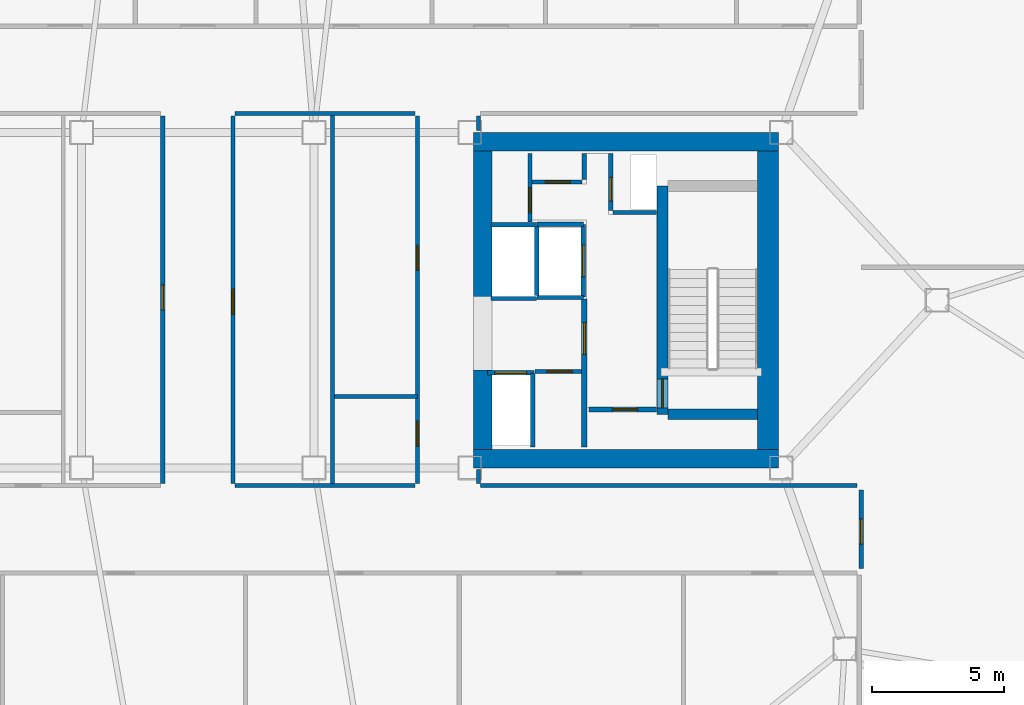
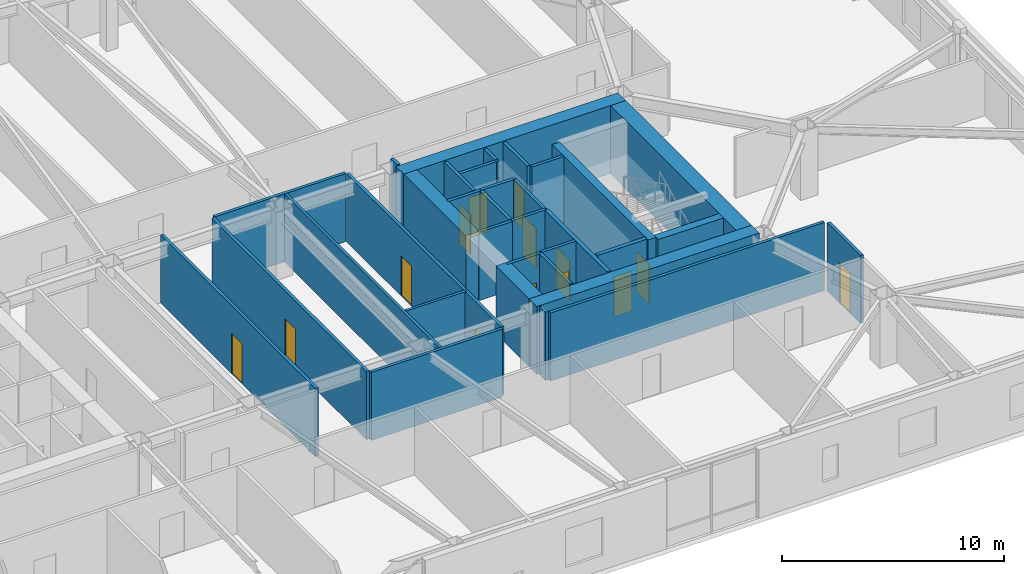
# One storey, part 12 of 18: 34 walls, 14 doors, 14 openings.
"""IFC4 building model written with IfcOpenShell, lengths in metres."""

from ifc_helpers import new_model, si_unit, direction, frame, frame_2d, origin, place, context, subcontext, project, spatial, rectangle, extrude, material, layer, layer_set, type_object, element, fill, save


model = new_model("IFC4")

# Units and contexts
model_context = context("Model", 3, precision=1e-05, world=origin(), true_north=direction((0.0, 1.0)))
body_context = subcontext(model_context, "Body", "Model", "MODEL_VIEW")
ifc_project = project(units=[si_unit("LENGTHUNIT", "METRE"), si_unit("AREAUNIT", "SQUARE_METRE"), si_unit("VOLUMEUNIT", "CUBIC_METRE"), si_unit("PLANEANGLEUNIT", "RADIAN"), si_unit("MASSUNIT", "GRAM", prefix="KILO")], contexts=[model_context])

# Site, building, storey
site_placement = place(None, origin())
site = spatial("IfcSite", under=ifc_project, at=site_placement, CompositionType="ELEMENT")
building_placement = place(site_placement, origin())
building = spatial("IfcBuilding", under=site, at=building_placement, Name="Tavrogorsk Clinical Tower", CompositionType="ELEMENT")
storey_placement = place(building_placement, frame((0.0, 0.0, 168.199951171875)))
storey = spatial("IfcBuildingStorey", under=building, at=storey_placement, Name="L38", CompositionType="ELEMENT", Elevation=168.199951171875)

# Wall, opening, door
ifc_material_1 = material(Name="Concrete B60", Category="concrete")
ifc_layer_1 = layer(ifc_material_1, 0.199951171875)
ifc_layer_set_1 = layer_set([ifc_layer_1], Name="Concrete B60")
wall_type_1 = type_object("IfcWallType", Name="CoreFireWall_200", PredefinedType="SOLIDWALL", material=ifc_layer_set_1)
wall_1_placement = place(storey_placement, frame((14.824951171875, -4.139892578125, 0.0), z_axis=(0.0, 0.0, 1.0), x_axis=(1.0, 0.0, 0.0)))
wall_1 = element("IfcWall", 1, at=wall_1_placement, inside=storey, type_object=wall_type_1, Name="L38 Core East South Core Room Fire Wall", PredefinedType="SOLIDWALL", context=body_context, shape_type="SweptSolid", body=[
    extrude(rectangle(XDim=2.554931640625, YDim=0.199951171875, at=frame_2d((1.27734375, 0.0))), origin(), (0.0, 0.0, 1.0), 3.739990234375),
])
opening_1_placement = place(wall_1_placement, frame((0.8798828125, 0.0, 0.0)))
opening_1 = element("IfcOpeningElement", 2, at=opening_1_placement, cuts=wall_1, Name="Opening ID-02", PredefinedType="OPENING", context=body_context, shape_type="SweptSolid", body=[
    extrude(rectangle(XDim=0.949951171875, YDim=2.199951171875, at=frame_2d((0.47509765625, 1.10009765625))), frame((0.0, 0.10986328125, 0.0), z_axis=(0.0, -1.0, 0.0), x_axis=(1.0, 0.0, 0.0)), (0.0, 0.0, 1.0), 0.219970703125),
])
ifc_material_2 = material(Name="Laminated timber leaf on aluminium frame", Category="wood")
door_type_1 = type_object("IfcDoorType", Name="InteriorDoor_ID02_950", OperationType="NOTDEFINED", PredefinedType="DOOR", material=ifc_material_2)
door_1_placement = place(opening_1_placement, origin())
door_1 = element("IfcDoor", 3, at=door_1_placement, inside=storey, type_object=door_type_1, Name="L38 Core East South Core Room Door", OperationType="SINGLE_SWING_RIGHT", OverallHeight=2.199951171875, OverallWidth=0.949951171875, PredefinedType="DOOR", context=body_context, shape_type="SweptSolid", body=[
    extrude(rectangle(XDim=0.949951171875, YDim=2.199951171875, at=frame_2d((0.47509765625, 1.10009765625))), frame((0.0, 0.02490234375, 0.0), z_axis=(0.0, -1.0, 0.0), x_axis=(1.0, 0.0, 0.0)), (0.0, 0.0, 1.0), 0.050048828125),
])
fill(opening_1, door_1)

wall_2_placement = place(storey_placement, frame((14.639892578125, -5.56005859375, 0.0), z_axis=(0.0, 0.0, 1.0), x_axis=(0.0, 1.0, 0.0)))
wall_2 = element("IfcWall", 4, at=wall_2_placement, inside=storey, type_object=wall_type_1, Name="L38 Core East Firefighting Lobby Fire Wall", PredefinedType="SOLIDWALL", context=body_context, shape_type="SweptSolid", body=[
    extrude(rectangle(XDim=5.60009765625, YDim=0.199951171875, at=frame_2d((2.800048828125, 0.0))), origin(), (0.0, 0.0, 1.0), 3.739990234375),
])
opening_2_placement = place(wall_2_placement, frame((3.510009765625, 0.0, 0.0)))
opening_2 = element("IfcOpeningElement", 5, at=opening_2_placement, cuts=wall_2, Name="Opening FD-01", PredefinedType="OPENING", context=body_context, shape_type="SweptSolid", body=[
    extrude(rectangle(XDim=1.199951171875, YDim=2.199951171875, at=frame_2d((0.60009765625, 1.10009765625))), frame((0.0, 0.10986328125, 0.0), z_axis=(0.0, -1.0, 0.0), x_axis=(1.0, 0.0, 0.0)), (0.0, 0.0, 1.0), 0.219970703125),
])
ifc_material_3 = material(Name="Galvanised steel fire-rated door assembly", Category="steel")
door_type_2 = type_object("IfcDoorType", Name="FireDoor_FD01_1200", OperationType="NOTDEFINED", PredefinedType="DOOR", material=ifc_material_3)
door_2_placement = place(opening_2_placement, origin())
door_2 = element("IfcDoor", 6, at=door_2_placement, inside=storey, type_object=door_type_2, Name="L38 Core East Firefighting Lobby Entry Door", OperationType="SINGLE_SWING_RIGHT", OverallHeight=2.199951171875, OverallWidth=1.199951171875, PredefinedType="DOOR", context=body_context, shape_type="SweptSolid", body=[
    extrude(rectangle(XDim=1.199951171875, YDim=2.199951171875, at=frame_2d((0.60009765625, 1.10009765625))), frame((0.0, 0.02490234375, 0.0), z_axis=(0.0, -1.0, 0.0), x_axis=(1.0, 0.0, 0.0)), (0.0, 0.0, 1.0), 0.050048828125),
])
fill(opening_2, door_2)

# Walls
ifc_material_4 = material(Name="Lightweight concrete blockwork B15", Category="masonry")
ifc_layer_2 = layer(ifc_material_4, 0.139892578125)
ifc_layer_set_2 = layer_set([ifc_layer_2], Name="Lightweight concrete blockwork B15")
wall_type_2 = type_object("IfcWallType", Name="PartitionWall_140", PredefinedType="PARTITIONING", material=ifc_layer_set_2)
wall_3_placement = place(storey_placement, frame((5.10009765625, -7.014892578125, 0.0), z_axis=(0.0, 0.0, 1.0), x_axis=(0.0, 1.0, 0.0)))
element("IfcWall", 7, at=wall_3_placement, inside=storey, type_object=wall_type_2, Name="L38 Central Spine Partition 2", PredefinedType="PARTITIONING", context=body_context, shape_type="SweptSolid", body=[
    extrude(rectangle(XDim=14.079833984375, YDim=0.139892578125, at=frame_2d((7.0400390625, 0.0))), origin(), (0.0, 0.0, 1.0), 3.739990234375),
])
wall_4_placement = place(storey_placement, frame((5.175048828125, -3.64990234375, 0.0), z_axis=(0.0, 0.0, 1.0), x_axis=(1.0, 0.0, 0.0)))
element("IfcWall", 8, at=wall_4_placement, inside=storey, type_object=wall_type_2, Name="L38 Central Spine Partition 4", PredefinedType="PARTITIONING", context=body_context, shape_type="SweptSolid", body=[
    extrude(rectangle(XDim=3.139892578125, YDim=0.139892578125, at=frame_2d((1.56982421875, 0.0))), origin(), (0.0, 0.0, 1.0), 3.739990234375),
])

# Wall, opening, door
ifc_material_5 = material(Name="Lightweight concrete blockwork B15", Category="masonry")
ifc_layer_3 = layer(ifc_material_5, 0.159912109375)
ifc_layer_set_3 = layer_set([ifc_layer_3], Name="Lightweight concrete blockwork B15")
wall_type_3 = type_object("IfcWallType", Name="PartitionWall_160", PredefinedType="PARTITIONING", material=ifc_layer_set_3)
wall_5_placement = place(storey_placement, frame((12.77490234375, -2.699951171875, 0.0), z_axis=(0.0, 0.0, 1.0), x_axis=(1.0, 0.0, 0.0)))
wall_5 = element("IfcWall", 9, at=wall_5_placement, inside=storey, type_object=wall_type_3, Name="L38 Core East Freed Low-Bank North Partition", PredefinedType="PARTITIONING", context=body_context, shape_type="SweptSolid", body=[
    extrude(rectangle(XDim=1.760009765625, YDim=0.159912109375, at=frame_2d((0.8798828125, 0.0))), origin(), (0.0, 0.0, 1.0), 3.739990234375),
])
opening_3_placement = place(wall_5_placement, frame((0.449951171875, 0.0, 0.0)))
opening_3 = element("IfcOpeningElement", 10, at=opening_3_placement, cuts=wall_5, Name="Opening ID-02", PredefinedType="OPENING", context=body_context, shape_type="SweptSolid", body=[
    extrude(rectangle(XDim=0.949951171875, YDim=2.199951171875, at=frame_2d((0.47509765625, 1.10009765625))), frame((0.0, 0.08984375, 0.0), z_axis=(0.0, -1.0, 0.0), x_axis=(1.0, 0.0, 0.0)), (0.0, 0.0, 1.0), 0.179931640625),
])
door_3_placement = place(opening_3_placement, origin())
door_3 = element("IfcDoor", 11, at=door_3_placement, inside=storey, type_object=door_type_1, Name="L38 Core East Biomedical Alcove Door", OperationType="SINGLE_SWING_LEFT", OverallHeight=2.199951171875, OverallWidth=0.949951171875, PredefinedType="DOOR", context=body_context, shape_type="SweptSolid", body=[
    extrude(rectangle(XDim=0.949951171875, YDim=2.199951171875, at=frame_2d((0.47509765625, 1.10009765625))), frame((0.0, 0.02490234375, 0.0), z_axis=(0.0, -1.0, 0.0), x_axis=(1.0, 0.0, 0.0)), (0.0, 0.0, 1.0), 0.050048828125),
])
fill(opening_3, door_3)

wall_6_placement = place(storey_placement, frame((12.580078125, 2.9599609375, 0.0), z_axis=(0.0, 0.0, 1.0), x_axis=(0.0, 1.0, 0.0)))
wall_6 = element("IfcWall", 12, at=wall_6_placement, inside=storey, type_object=wall_type_3, Name="L38 Core East Linen Closet Wall", PredefinedType="PARTITIONING", context=body_context, shape_type="SweptSolid", body=[
    extrude(rectangle(XDim=2.60009765625, YDim=0.159912109375, at=frame_2d((1.300048828125, 0.0))), origin(), (0.0, 0.0, 1.0), 3.739990234375),
])
opening_4_placement = place(wall_6_placement, frame((0.35009765625, 0.0, 0.0)))
opening_4 = element("IfcOpeningElement", 13, at=opening_4_placement, cuts=wall_6, Name="Opening ID-02", PredefinedType="OPENING", context=body_context, shape_type="SweptSolid", body=[
    extrude(rectangle(XDim=0.949951171875, YDim=2.199951171875, at=frame_2d((0.47509765625, 1.10009765625))), frame((0.0, 0.08984375, 0.0), z_axis=(0.0, -1.0, 0.0), x_axis=(1.0, 0.0, 0.0)), (0.0, 0.0, 1.0), 0.179931640625),
])
door_4_placement = place(opening_4_placement, origin())
door_4 = element("IfcDoor", 14, at=door_4_placement, inside=storey, type_object=door_type_1, Name="L38 Core East Linen Closet Door", OperationType="SINGLE_SWING_RIGHT", OverallHeight=2.199951171875, OverallWidth=0.949951171875, PredefinedType="DOOR", context=body_context, shape_type="SweptSolid", body=[
    extrude(rectangle(XDim=0.949951171875, YDim=2.199951171875, at=frame_2d((0.47509765625, 1.10009765625))), frame((0.0, 0.02490234375, 0.0), z_axis=(0.0, -1.0, 0.0), x_axis=(1.0, 0.0, 0.0)), (0.0, 0.0, 1.0), 0.050048828125),
])
fill(opening_4, door_4)

wall_7_placement = place(storey_placement, frame((12.6650390625, 4.47998046875, 0.0), z_axis=(0.0, 0.0, 1.0), x_axis=(1.0, 0.0, 0.0)))
wall_7 = element("IfcWall", 15, at=wall_7_placement, inside=storey, type_object=wall_type_3, Name="L38 Core East Housekeeping South Wall", PredefinedType="PARTITIONING", context=body_context, shape_type="SweptSolid", body=[
    extrude(rectangle(XDim=1.889892578125, YDim=0.159912109375, at=frame_2d((0.94482421875, 0.0))), origin(), (0.0, 0.0, 1.0), 3.739990234375),
])
opening_5_placement = place(wall_7_placement, frame((0.5, 0.0, 0.0)))
opening_5 = element("IfcOpeningElement", 16, at=opening_5_placement, cuts=wall_7, Name="Opening ID-02", PredefinedType="OPENING", context=body_context, shape_type="SweptSolid", body=[
    extrude(rectangle(XDim=0.949951171875, YDim=2.199951171875, at=frame_2d((0.47509765625, 1.10009765625))), frame((0.0, 0.08984375, 0.0), z_axis=(0.0, -1.0, 0.0), x_axis=(1.0, 0.0, 0.0)), (0.0, 0.0, 1.0), 0.179931640625),
])
door_5_placement = place(opening_5_placement, origin())
door_5 = element("IfcDoor", 17, at=door_5_placement, inside=storey, type_object=door_type_1, Name="L38 Core East Housekeeping Closet Door", OperationType="SINGLE_SWING_LEFT", OverallHeight=2.199951171875, OverallWidth=0.949951171875, PredefinedType="DOOR", context=body_context, shape_type="SweptSolid", body=[
    extrude(rectangle(XDim=0.949951171875, YDim=2.199951171875, at=frame_2d((0.47509765625, 1.10009765625))), frame((0.0, 0.02490234375, 0.0), z_axis=(0.0, -1.0, 0.0), x_axis=(1.0, 0.0, 0.0)), (0.0, 0.0, 1.0), 0.050048828125),
])
fill(opening_5, door_5)

# Walls
wall_8_placement = place(storey_placement, frame((14.639892578125, 4.56494140625, 0.0), z_axis=(0.0, 0.0, 1.0), x_axis=(0.0, 1.0, 0.0)))
element("IfcWall", 18, at=wall_8_placement, inside=storey, type_object=wall_type_3, Name="L38 Core East Housekeeping East Wall", PredefinedType="PARTITIONING", context=body_context, shape_type="SweptSolid", body=[
    extrude(rectangle(XDim=0.9951171875, YDim=0.159912109375, at=frame_2d((0.49755859375, 0.0))), origin(), (0.0, 0.0, 1.0), 3.739990234375),
])
wall_9_placement = place(storey_placement, frame((10.6298828125, 6.985107421875, 0.0), z_axis=(0.0, 0.0, 1.0), x_axis=(0.0, -1.0, 0.0)))
element("IfcWall", 19, at=wall_9_placement, inside=storey, type_object=wall_type_3, Name="L38 Corridor Partition 10", PredefinedType="PARTITIONING", context=body_context, shape_type="SweptSolid", body=[
    extrude(rectangle(XDim=0.565185546875, YDim=0.159912109375, at=frame_2d((0.28271484375, 0.0))), origin(), (0.0, 0.0, 1.0), 3.739990234375),
])
wall_10_placement = place(storey_placement, frame((10.6298828125, -6.419921875, 0.0), z_axis=(0.0, 0.0, 1.0), x_axis=(0.0, -1.0, 0.0)))
element("IfcWall", 20, at=wall_10_placement, inside=storey, type_object=wall_type_3, Name="L38 Corridor Partition 11", PredefinedType="PARTITIONING", context=body_context, shape_type="SweptSolid", body=[
    extrude(rectangle(XDim=0.51513671875, YDim=0.159912109375, at=frame_2d((0.257568359375, 0.0))), origin(), (0.0, 0.0, 1.0), 3.739990234375),
])
wall_11_placement = place(storey_placement, frame((10.715087890625, -7.02001953125, 0.0), z_axis=(0.0, 0.0, 1.0), x_axis=(1.0, 0.0, 0.0)))
element("IfcWall", 21, at=wall_11_placement, inside=storey, type_object=wall_type_3, Name="L38 Corridor Partition 12", PredefinedType="PARTITIONING", context=body_context, shape_type="SweptSolid", body=[
    extrude(rectangle(XDim=14.25, YDim=0.159912109375, at=frame_2d((7.125, 0.0))), origin(), (0.0, 0.0, 1.0), 3.739990234375),
])

# Wall, opening, door
wall_12_placement = place(storey_placement, frame((25.1298828125, -7.18505859375, 0.0), z_axis=(0.0, 0.0, 1.0), x_axis=(0.0, -1.0, 0.0)))
wall_12 = element("IfcWall", 22, at=wall_12_placement, inside=storey, type_object=wall_type_3, Name="L38 Corridor Partition 13", PredefinedType="PARTITIONING", context=body_context, shape_type="SweptSolid", body=[
    extrude(rectangle(XDim=2.97998046875, YDim=0.159912109375, at=frame_2d((1.489990234375, 0.0))), origin(), (0.0, 0.0, 1.0), 3.739990234375),
])
opening_6_placement = place(wall_12_placement, frame((1.10009765625, 0.0, 0.0)))
opening_6 = element("IfcOpeningElement", 23, at=opening_6_placement, cuts=wall_12, Name="Opening ID-02", PredefinedType="OPENING", context=body_context, shape_type="SweptSolid", body=[
    extrude(rectangle(XDim=0.949951171875, YDim=2.199951171875, at=frame_2d((0.47509765625, 1.10009765625))), frame((0.0, 0.08984375, 0.0), z_axis=(0.0, -1.0, 0.0), x_axis=(1.0, 0.0, 0.0)), (0.0, 0.0, 1.0), 0.179931640625),
])
door_6_placement = place(opening_6_placement, origin())
door_6 = element("IfcDoor", 24, at=door_6_placement, inside=storey, type_object=door_type_1, Name="L38 E Senior Clinician Suite 1 Door", OperationType="SINGLE_SWING_LEFT", OverallHeight=2.199951171875, OverallWidth=0.949951171875, PredefinedType="DOOR", context=body_context, shape_type="SweptSolid", body=[
    extrude(rectangle(XDim=0.949951171875, YDim=2.199951171875, at=frame_2d((0.47509765625, 1.10009765625))), frame((0.0, 0.02490234375, 0.0), z_axis=(0.0, -1.0, 0.0), x_axis=(1.0, 0.0, 0.0)), (0.0, 0.0, 1.0), 0.050048828125),
])
fill(opening_6, door_6)

# Wall
wall_13_placement = place(storey_placement, frame((8.235107421875, 7.070068359375, 0.0), z_axis=(0.0, 0.0, 1.0), x_axis=(-1.0, 0.0, 0.0)))
element("IfcWall", 25, at=wall_13_placement, inside=storey, type_object=wall_type_3, Name="L38 Corridor Partition 15", PredefinedType="PARTITIONING", context=body_context, shape_type="SweptSolid", body=[
    extrude(rectangle(XDim=6.820068359375, YDim=0.159912109375, at=frame_2d((3.41015625, 0.0))), origin(), (0.0, 0.0, 1.0), 3.739990234375),
])

# Wall, opening, door
wall_14_placement = place(storey_placement, frame((1.330078125, 6.985107421875, 0.0), z_axis=(0.0, 0.0, 1.0), x_axis=(0.0, -1.0, 0.0)))
wall_14 = element("IfcWall", 26, at=wall_14_placement, inside=storey, type_object=wall_type_3, Name="L38 Corridor Partition 16", PredefinedType="PARTITIONING", context=body_context, shape_type="SweptSolid", body=[
    extrude(rectangle(XDim=13.920166015625, YDim=0.159912109375, at=frame_2d((6.9599609375, 0.0))), origin(), (0.0, 0.0, 1.0), 3.739990234375),
])
opening_7_placement = place(wall_14_placement, frame((6.570068359375, 0.0, 0.0)))
opening_7 = element("IfcOpeningElement", 27, at=opening_7_placement, cuts=wall_14, Name="Opening ID-02", PredefinedType="OPENING", context=body_context, shape_type="SweptSolid", body=[
    extrude(rectangle(XDim=0.949951171875, YDim=2.199951171875, at=frame_2d((0.47509765625, 1.10009765625))), frame((0.0, 0.08984375, 0.0), z_axis=(0.0, -1.0, 0.0), x_axis=(1.0, 0.0, 0.0)), (0.0, 0.0, 1.0), 0.179931640625),
])
door_7_placement = place(opening_7_placement, origin())
door_7 = element("IfcDoor", 28, at=door_7_placement, inside=storey, type_object=door_type_1, Name="L38 Clean Medication Preparation Room Door", OperationType="SINGLE_SWING_RIGHT", OverallHeight=2.199951171875, OverallWidth=0.949951171875, PredefinedType="DOOR", context=body_context, shape_type="SweptSolid", body=[
    extrude(rectangle(XDim=0.949951171875, YDim=2.199951171875, at=frame_2d((0.47509765625, 1.10009765625))), frame((0.0, 0.02490234375, 0.0), z_axis=(0.0, -1.0, 0.0), x_axis=(1.0, 0.0, 0.0)), (0.0, 0.0, 1.0), 0.050048828125),
])
fill(opening_7, door_7)

# Wall
wall_15_placement = place(storey_placement, frame((1.4150390625, -7.02001953125, 0.0), z_axis=(0.0, 0.0, 1.0), x_axis=(1.0, 0.0, 0.0)))
element("IfcWall", 29, at=wall_15_placement, inside=storey, type_object=wall_type_3, Name="L38 Corridor Partition 17", PredefinedType="PARTITIONING", context=body_context, shape_type="SweptSolid", body=[
    extrude(rectangle(XDim=6.820068359375, YDim=0.159912109375, at=frame_2d((3.41015625, 0.0))), origin(), (0.0, 0.0, 1.0), 3.739990234375),
])

# Wall, openings, doors
wall_16_placement = place(storey_placement, frame((8.320068359375, -6.93505859375, 0.0), z_axis=(0.0, 0.0, 1.0), x_axis=(0.0, 1.0, 0.0)))
wall_16 = element("IfcWall", 30, at=wall_16_placement, inside=storey, type_object=wall_type_3, Name="L38 Corridor Partition 18", PredefinedType="PARTITIONING", context=body_context, shape_type="SweptSolid", body=[
    extrude(rectangle(XDim=13.920166015625, YDim=0.159912109375, at=frame_2d((6.9599609375, 0.0))), origin(), (0.0, 0.0, 1.0), 3.739990234375),
])
opening_8_placement = place(wall_16_placement, frame((1.404052734375, 0.0, 0.0)))
opening_8 = element("IfcOpeningElement", 31, at=opening_8_placement, cuts=wall_16, Name="Opening ID-02", PredefinedType="OPENING", context=body_context, shape_type="SweptSolid", body=[
    extrude(rectangle(XDim=0.949951171875, YDim=2.199951171875, at=frame_2d((0.47509765625, 1.10009765625))), frame((0.0, 0.08984375, 0.0), z_axis=(0.0, -1.0, 0.0), x_axis=(1.0, 0.0, 0.0)), (0.0, 0.0, 1.0), 0.179931640625),
])
opening_9_placement = place(wall_16_placement, frame((8.060791015625, 0.0, 0.0)))
opening_9 = element("IfcOpeningElement", 32, at=opening_9_placement, cuts=wall_16, Name="Opening ID-02", PredefinedType="OPENING", context=body_context, shape_type="SweptSolid", body=[
    extrude(rectangle(XDim=0.949951171875, YDim=2.199951171875, at=frame_2d((0.47509765625, 1.10009765625))), frame((0.0, 0.08984375, 0.0), z_axis=(0.0, -1.0, 0.0), x_axis=(1.0, 0.0, 0.0)), (0.0, 0.0, 1.0), 0.179931640625),
])
door_8_placement = place(opening_8_placement, origin())
door_8 = element("IfcDoor", 33, at=door_8_placement, inside=storey, type_object=door_type_1, Name="L38 Staff & Visitor Accessible WC Door", OperationType="SINGLE_SWING_LEFT", OverallHeight=2.199951171875, OverallWidth=0.949951171875, PredefinedType="DOOR", context=body_context, shape_type="SweptSolid", body=[
    extrude(rectangle(XDim=0.949951171875, YDim=2.199951171875, at=frame_2d((0.47509765625, 1.10009765625))), frame((0.0, 0.02490234375, 0.0), z_axis=(0.0, -1.0, 0.0), x_axis=(1.0, 0.0, 0.0)), (0.0, 0.0, 1.0), 0.050048828125),
])
fill(opening_8, door_8)
door_9_placement = place(opening_9_placement, origin())
door_9 = element("IfcDoor", 34, at=door_9_placement, inside=storey, type_object=door_type_1, Name="L38 Resident Clinician Study Door", OperationType="SINGLE_SWING_RIGHT", OverallHeight=2.199951171875, OverallWidth=0.949951171875, PredefinedType="DOOR", context=body_context, shape_type="SweptSolid", body=[
    extrude(rectangle(XDim=0.949951171875, YDim=2.199951171875, at=frame_2d((0.47509765625, 1.10009765625))), frame((0.0, 0.02490234375, 0.0), z_axis=(0.0, -1.0, 0.0), x_axis=(1.0, 0.0, 0.0)), (0.0, 0.0, 1.0), 0.050048828125),
])
fill(opening_9, door_9)

# Wall, opening, door
wall_17_placement = place(storey_placement, frame((-1.330078125, -6.93505859375, 0.0), z_axis=(0.0, 0.0, 1.0), x_axis=(0.0, 1.0, 0.0)))
wall_17 = element("IfcWall", 35, at=wall_17_placement, inside=storey, type_object=wall_type_3, Name="L38 Corridor Partition 19", PredefinedType="PARTITIONING", context=body_context, shape_type="SweptSolid", body=[
    extrude(rectangle(XDim=13.920166015625, YDim=0.159912109375, at=frame_2d((6.9599609375, 0.0))), origin(), (0.0, 0.0, 1.0), 3.739990234375),
])
opening_10_placement = place(wall_17_placement, frame((6.570068359375, 0.0, 0.0)))
opening_10 = element("IfcOpeningElement", 36, at=opening_10_placement, cuts=wall_17, Name="Opening ID-02", PredefinedType="OPENING", context=body_context, shape_type="SweptSolid", body=[
    extrude(rectangle(XDim=0.949951171875, YDim=2.199951171875, at=frame_2d((0.47509765625, 1.10009765625))), frame((0.0, 0.08984375, 0.0), z_axis=(0.0, -1.0, 0.0), x_axis=(1.0, 0.0, 0.0)), (0.0, 0.0, 1.0), 0.179931640625),
])
door_10_placement = place(opening_10_placement, origin())
door_10 = element("IfcDoor", 37, at=door_10_placement, inside=storey, type_object=door_type_1, Name="L38 Nurses' Station & Telemetry Hub Door", OperationType="SINGLE_SWING_LEFT", OverallHeight=2.199951171875, OverallWidth=0.949951171875, PredefinedType="DOOR", context=body_context, shape_type="SweptSolid", body=[
    extrude(rectangle(XDim=0.949951171875, YDim=2.199951171875, at=frame_2d((0.47509765625, 1.10009765625))), frame((0.0, 0.02490234375, 0.0), z_axis=(0.0, -1.0, 0.0), x_axis=(1.0, 0.0, 0.0)), (0.0, 0.0, 1.0), 0.050048828125),
])
fill(opening_10, door_10)

ifc_material_6 = material(Name="Lightweight concrete blockwork B25", Category="masonry")
ifc_layer_4 = layer(ifc_material_6, 0.159912109375)
ifc_layer_set_4 = layer_set([ifc_layer_4], Name="Lightweight concrete blockwork B25")
wall_type_4 = type_object("IfcWallType", Name="ShaftWall_160", PredefinedType="PARTITIONING", material=ifc_layer_set_4)
wall_18_placement = place(storey_placement, frame((14.60009765625, 0.1201171875, 0.0), z_axis=(0.0, 0.0, 1.0), x_axis=(0.0, 1.0, 0.0)))
wall_18 = element("IfcWall", 38, at=wall_18_placement, inside=storey, type_object=wall_type_4, Name="L38 FFL-E Firefighting Lift Front Wall", PredefinedType="PARTITIONING", context=body_context, shape_type="SweptSolid", body=[
    extrude(rectangle(XDim=2.739990234375, YDim=0.159912109375, at=frame_2d((1.3701171875, 0.0))), origin(), (0.0, 0.0, 1.0), 3.739990234375),
])
opening_11_placement = place(wall_18_placement, frame((0.77001953125, 0.0, 0.0)))
opening_11 = element("IfcOpeningElement", 39, at=opening_11_placement, cuts=wall_18, Name="Opening LD", PredefinedType="OPENING", context=body_context, shape_type="SweptSolid", body=[
    extrude(rectangle(XDim=1.199951171875, YDim=2.199951171875, at=frame_2d((0.60009765625, 1.10009765625))), frame((0.0, 0.08984375, 0.0), z_axis=(0.0, -1.0, 0.0), x_axis=(1.0, 0.0, 0.0)), (0.0, 0.0, 1.0), 0.179931640625),
])
ifc_material_7 = material(Name="Brushed stainless steel AISI 304 sliding doors", Category="steel")
door_type_3 = type_object("IfcDoorType", Name="LiftLandingDoor_LD_1200", OperationType="SLIDING_TO_LEFT", PredefinedType="DOOR", material=ifc_material_7)
door_11_placement = place(opening_11_placement, origin())
door_11 = element("IfcDoor", 40, at=door_11_placement, inside=storey, type_object=door_type_3, Name="L38 FFL-E Sliding Lift Landing Door", OperationType="SLIDING_TO_LEFT", OverallHeight=2.199951171875, OverallWidth=1.199951171875, PredefinedType="DOOR", context=body_context, shape_type="SweptSolid", body=[
    extrude(rectangle(XDim=1.199951171875, YDim=2.199951171875, at=frame_2d((0.60009765625, 1.10009765625))), frame((0.0, 0.02490234375, 0.0), z_axis=(0.0, -1.0, 0.0), x_axis=(1.0, 0.0, 0.0)), (0.0, 0.0, 1.0), 0.050048828125),
])
fill(opening_11, door_11)

# Walls
for number, where, z_axis, x_axis, name in (
    (41, (12.840087890625, 0.10009765625, 0.0), (0.0, 0.0, 1.0), (1.0, 0.0, 0.0), "L38 FFL-E Shaft South Wall"),
    (42, (12.840087890625, 2.8798828125, 0.0), (0.0, 0.0, 1.0), (1.0, 0.0, 0.0), "L38 FFL-E Shaft North Wall"),
):
    element("IfcWall", number, at=place(storey_placement, frame(where, z_axis=z_axis, x_axis=x_axis)), inside=storey, type_object=wall_type_4, Name=name, PredefinedType="PARTITIONING", context=body_context, shape_type="SweptSolid", body=[
        extrude(rectangle(XDim=1.760009765625, YDim=0.159912109375, at=frame_2d((0.8798828125, 0.0))), origin(), (0.0, 0.0, 1.0), 3.739990234375),
    ])
wall_19_placement = place(storey_placement, frame((12.840087890625, 0.179931640625, 0.0), z_axis=(0.0, 0.0, 1.0), x_axis=(0.0, 1.0, 0.0)))
element("IfcWall", 43, at=wall_19_placement, inside=storey, type_object=wall_type_4, Name="L38 FFL-E Shaft Back Wall", PredefinedType="PARTITIONING", context=body_context, shape_type="SweptSolid", body=[
    extrude(rectangle(XDim=2.6201171875, YDim=0.159912109375, at=frame_2d((1.31005859375, 0.0))), origin(), (0.0, 0.0, 1.0), 3.739990234375),
])

# Wall, opening, door
wall_20_placement = place(storey_placement, frame((10.969970703125, -2.75, 0.0), z_axis=(0.0, 0.0, 1.0), x_axis=(1.0, 0.0, 0.0)))
wall_20 = element("IfcWall", 44, at=wall_20_placement, inside=storey, type_object=wall_type_4, Name="L38 LP-M2 Lift Shaft Portal Wall", PredefinedType="PARTITIONING", context=body_context, shape_type="SweptSolid", body=[
    extrude(rectangle(XDim=1.760009765625, YDim=0.159912109375, at=frame_2d((0.8798828125, 0.0))), origin(), (0.0, 0.0, 1.0), 3.739990234375),
])
opening_12_placement = place(wall_20_placement, frame((0.280029296875, 0.0, 0.0)))
opening_12 = element("IfcOpeningElement", 45, at=opening_12_placement, cuts=wall_20, Name="Opening LD", PredefinedType="OPENING", context=body_context, shape_type="SweptSolid", body=[
    extrude(rectangle(XDim=1.199951171875, YDim=2.199951171875, at=frame_2d((0.60009765625, 1.10009765625))), frame((0.0, 0.08984375, 0.0), z_axis=(0.0, -1.0, 0.0), x_axis=(1.0, 0.0, 0.0)), (0.0, 0.0, 1.0), 0.179931640625),
])
door_12_placement = place(opening_12_placement, origin())
door_12 = element("IfcDoor", 46, at=door_12_placement, inside=storey, type_object=door_type_3, Name="L38 LP-M2 Sliding Lift Landing Door", OperationType="SLIDING_TO_LEFT", OverallHeight=2.199951171875, OverallWidth=1.199951171875, PredefinedType="DOOR", context=body_context, shape_type="SweptSolid", body=[
    extrude(rectangle(XDim=1.199951171875, YDim=2.199951171875, at=frame_2d((0.60009765625, 1.10009765625))), frame((0.0, 0.02490234375, 0.0), z_axis=(0.0, -1.0, 0.0), x_axis=(1.0, 0.0, 0.0)), (0.0, 0.0, 1.0), 0.050048828125),
])
fill(opening_12, door_12)

# Walls
for number, where, z_axis, x_axis, name in (
    (47, (11.10009765625, 0.06005859375, 0.0), (0.0, 0.0, 1.0), (1.0, 0.0, 0.0), "L38 LP-H2 High-Zone Lift Portal Wall"),
    (48, (11.10009765625, 2.860107421875, 0.0), (0.0, 0.0, 1.0), (1.0, 0.0, 0.0), "L38 LP-H2 High-Zone Lift Rear Wall"),
):
    element("IfcWall", number, at=place(storey_placement, frame(where, z_axis=z_axis, x_axis=x_axis)), inside=storey, type_object=wall_type_4, Name=name, PredefinedType="PARTITIONING", context=body_context, shape_type="SweptSolid", body=[
        extrude(rectangle(XDim=1.719970703125, YDim=0.159912109375, at=frame_2d((0.85986328125, 0.0))), origin(), (0.0, 0.0, 1.0), 3.739990234375),
    ])

# Wall, opening, door
wall_21_placement = place(storey_placement, frame((15.639892578125, 3.405029296875, 0.0), z_axis=(0.0, 0.0, 1.0), x_axis=(0.0, 1.0, 0.0)))
wall_21 = element("IfcWall", 49, at=wall_21_placement, inside=storey, type_object=wall_type_4, Name="L38 Core East Riser West Wall", PredefinedType="PARTITIONING", context=body_context, shape_type="SweptSolid", body=[
    extrude(rectangle(XDim=2.155029296875, YDim=0.159912109375, at=frame_2d((1.07763671875, 0.0))), origin(), (0.0, 0.0, 1.0), 3.739990234375),
])
opening_13_placement = place(wall_21_placement, frame((0.35009765625, 0.0, 0.0)))
opening_13 = element("IfcOpeningElement", 50, at=opening_13_placement, cuts=wall_21, Name="Opening FD-02", PredefinedType="OPENING", context=body_context, shape_type="SweptSolid", body=[
    extrude(rectangle(XDim=0.89990234375, YDim=2.199951171875, at=frame_2d((0.449951171875, 1.10009765625))), frame((0.0, 0.08984375, 0.0), z_axis=(0.0, -1.0, 0.0), x_axis=(1.0, 0.0, 0.0)), (0.0, 0.0, 1.0), 0.179931640625),
])
ifc_material_8 = material(Name="Galvanised steel fire-rated door assembly", Category="steel")
door_type_4 = type_object("IfcDoorType", Name="FireDoor_FD02_900", OperationType="NOTDEFINED", PredefinedType="DOOR", material=ifc_material_8)
door_13_placement = place(opening_13_placement, origin())
door_13 = element("IfcDoor", 51, at=door_13_placement, inside=storey, type_object=door_type_4, Name="L38 Core East Electrical Riser Access Door", OperationType="SINGLE_SWING_LEFT", OverallHeight=2.199951171875, OverallWidth=0.89990234375, PredefinedType="DOOR", context=body_context, shape_type="SweptSolid", body=[
    extrude(rectangle(XDim=0.89990234375, YDim=2.199951171875, at=frame_2d((0.449951171875, 1.10009765625))), frame((0.0, 0.02490234375, 0.0), z_axis=(0.0, -1.0, 0.0), x_axis=(1.0, 0.0, 0.0)), (0.0, 0.0, 1.0), 0.050048828125),
])
fill(opening_13, door_13)

# Walls
wall_22_placement = place(storey_placement, frame((15.72509765625, 3.320068359375, 0.0), z_axis=(0.0, 0.0, 1.0), x_axis=(1.0, 0.0, 0.0)))
element("IfcWall", 52, at=wall_22_placement, inside=storey, type_object=wall_type_4, Name="L38 Core East Riser South Wall", PredefinedType="PARTITIONING", context=body_context, shape_type="SweptSolid", body=[
    extrude(rectangle(XDim=1.65478515625, YDim=0.159912109375, at=frame_2d((0.827392578125, 0.0))), origin(), (0.0, 0.0, 1.0), 3.739990234375),
])
wall_23_placement = place(storey_placement, frame((12.68994140625, -5.56005859375, 0.0), z_axis=(0.0, 0.0, 1.0), x_axis=(0.0, 1.0, 0.0)))
element("IfcWall", 53, at=wall_23_placement, inside=storey, type_object=wall_type_4, Name="L38 Core East Freed Low-Bank Shaft Divider", PredefinedType="PARTITIONING", context=body_context, shape_type="SweptSolid", body=[
    extrude(rectangle(XDim=2.775146484375, YDim=0.159912109375, at=frame_2d((1.3876953125, 0.0))), origin(), (0.0, 0.0, 1.0), 3.739990234375),
])

# Wall, opening, door
ifc_material_9 = material(Name="Concrete B80", Category="concrete")
ifc_layer_5 = layer(ifc_material_9, 0.39990234375)
ifc_layer_set_5 = layer_set([ifc_layer_5], Name="Concrete B80")
wall_type_5 = type_object("IfcWallType", Name="ShearWall_400", PredefinedType="SHEAR", material=ifc_layer_set_5)
wall_24_placement = place(storey_placement, frame((17.60009765625, -4.324951171875, 0.0), z_axis=(0.0, 0.0, 1.0), x_axis=(0.0, 1.0, 0.0)))
wall_24 = element("IfcWall", 54, at=wall_24_placement, inside=storey, type_object=wall_type_5, Name="L38 Core East Stair Shaft Inner Shear Wall", PredefinedType="SHEAR", context=body_context, shape_type="SweptSolid", body=[
    extrude(rectangle(XDim=8.64990234375, YDim=0.39990234375, at=frame_2d((4.324951171875, 0.0))), origin(), (0.0, 0.0, 1.0), 3.739990234375),
])
opening_14_placement = place(wall_24_placement, frame((0.25, 0.0, 0.0)))
opening_14 = element("IfcOpeningElement", 55, at=opening_14_placement, cuts=wall_24, Name="Opening SD-01", PredefinedType="OPENING", context=body_context, shape_type="SweptSolid", body=[
    extrude(rectangle(XDim=1.10009765625, YDim=2.199951171875, at=frame_2d((0.550048828125, 1.10009765625))), frame((0.0, 0.2099609375, 0.0), z_axis=(0.0, -1.0, 0.0), x_axis=(1.0, 0.0, 0.0)), (0.0, 0.0, 1.0), 0.419921875),
])
ifc_material_10 = material(Name="Galvanised steel smoke-tight fire door assembly", Category="steel")
door_type_5 = type_object("IfcDoorType", Name="StairFireDoor_SD01_1100", OperationType="NOTDEFINED", PredefinedType="DOOR", material=ifc_material_10)
door_14_placement = place(opening_14_placement, origin())
door_14 = element("IfcDoor", 56, at=door_14_placement, inside=storey, type_object=door_type_5, Name="L38 ST-E Exit Stair Door", OperationType="SINGLE_SWING_RIGHT", OverallHeight=2.199951171875, OverallWidth=1.10009765625, PredefinedType="DOOR", context=body_context, shape_type="SweptSolid", body=[
    extrude(rectangle(XDim=1.10009765625, YDim=2.199951171875, at=frame_2d((0.550048828125, 1.10009765625))), frame((0.0, 0.02490234375, 0.0), z_axis=(0.0, -1.0, 0.0), x_axis=(1.0, 0.0, 0.0)), (0.0, 0.0, 1.0), 0.050048828125),
])
fill(opening_14, door_14)

# Walls
wall_25_placement = place(storey_placement, frame((17.800048828125, -4.324951171875, 0.0), z_axis=(0.0, 0.0, 1.0), x_axis=(1.0, 0.0, 0.0)))
element("IfcWall", 57, at=wall_25_placement, inside=storey, type_object=wall_type_5, Name="L38 Core East Stair Shaft South Shear Wall", PredefinedType="SHEAR", context=body_context, shape_type="SweptSolid", body=[
    extrude(rectangle(XDim=3.39990234375, YDim=0.39990234375, at=frame_2d((1.699951171875, 0.0))), origin(), (0.0, 0.0, 1.0), 3.739990234375),
])
ifc_material_11 = material(Name="Concrete B80", Category="concrete")
ifc_layer_6 = layer(ifc_material_11, 0.699951171875)
ifc_layer_set_6 = layer_set([ifc_layer_6], Name="Concrete B80")
wall_type_6 = type_object("IfcWallType", Name="ShearWall_700", PredefinedType="SHEAR", material=ifc_layer_set_6)
for number, where, z_axis, x_axis, name in (
    (58, (10.449951171875, 6.0, 0.0), (0.0, 0.0, 1.0), (1.0, 0.0, 0.0), "L38 Core East North Shear Wall"),
    (59, (10.449951171875, -6.0, 0.0), (0.0, 0.0, 1.0), (1.0, 0.0, 0.0), "L38 Core East South Shear Wall"),
):
    element("IfcWall", number, at=place(storey_placement, frame(where, z_axis=z_axis, x_axis=x_axis)), inside=storey, type_object=wall_type_6, Name=name, PredefinedType="SHEAR", context=body_context, shape_type="SweptSolid", body=[
        extrude(rectangle(XDim=11.550048828125, YDim=0.699951171875, at=frame_2d((5.77490234375, 0.0))), origin(), (0.0, 0.0, 1.0), 3.739990234375),
    ])
wall_26_placement = place(storey_placement, frame((10.800048828125, -5.64990234375, 0.0), z_axis=(0.0, 0.0, 1.0), x_axis=(0.0, 1.0, 0.0)))
element("IfcWall", 60, at=wall_26_placement, inside=storey, type_object=wall_type_6, Name="L38 Core East Inner South Pier", PredefinedType="SHEAR", context=body_context, shape_type="SweptSolid", body=[
    extrude(rectangle(XDim=3.0, YDim=0.699951171875, at=frame_2d((1.5, 0.0))), origin(), (0.0, 0.0, 1.0), 3.739990234375),
])
wall_27_placement = place(storey_placement, frame((10.800048828125, 0.050048828125, 0.0), z_axis=(0.0, 0.0, 1.0), x_axis=(0.0, 1.0, 0.0)))
element("IfcWall", 61, at=wall_27_placement, inside=storey, type_object=wall_type_6, Name="L38 Core East Inner North Pier", PredefinedType="SHEAR", context=body_context, shape_type="SweptSolid", body=[
    extrude(rectangle(XDim=5.599853515625, YDim=0.699951171875, at=frame_2d((2.7998046875, 0.0))), origin(), (0.0, 0.0, 1.0), 3.739990234375),
])
ifc_material_12 = material(Name="Concrete B80", Category="concrete")
ifc_layer_7 = layer(ifc_material_12, 0.800048828125)
ifc_layer_set_7 = layer_set([ifc_layer_7], Name="Concrete B80")
wall_type_7 = type_object("IfcWallType", Name="ShearWall_800", PredefinedType="SHEAR", material=ifc_layer_set_7)
wall_28_placement = place(storey_placement, frame((21.60009765625, -5.64990234375, 0.0), z_axis=(0.0, 0.0, 1.0), x_axis=(0.0, 1.0, 0.0)))
element("IfcWall", 62, at=wall_28_placement, inside=storey, type_object=wall_type_7, Name="L38 Core East End Shear Wall", PredefinedType="SHEAR", context=body_context, shape_type="SweptSolid", body=[
    extrude(rectangle(XDim=11.2998046875, YDim=0.800048828125, at=frame_2d((5.64990234375, 0.0))), origin(), (0.0, 0.0, 1.0), 3.739990234375),
])

save(model, "model.ifc")
